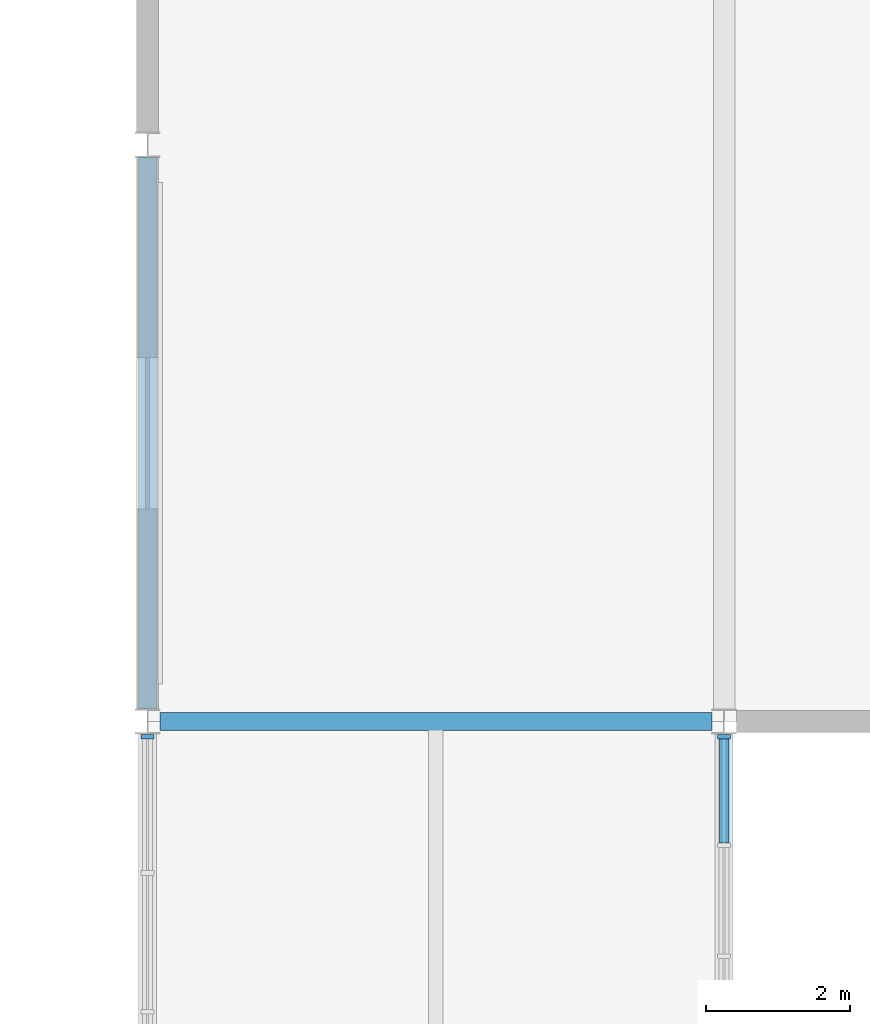
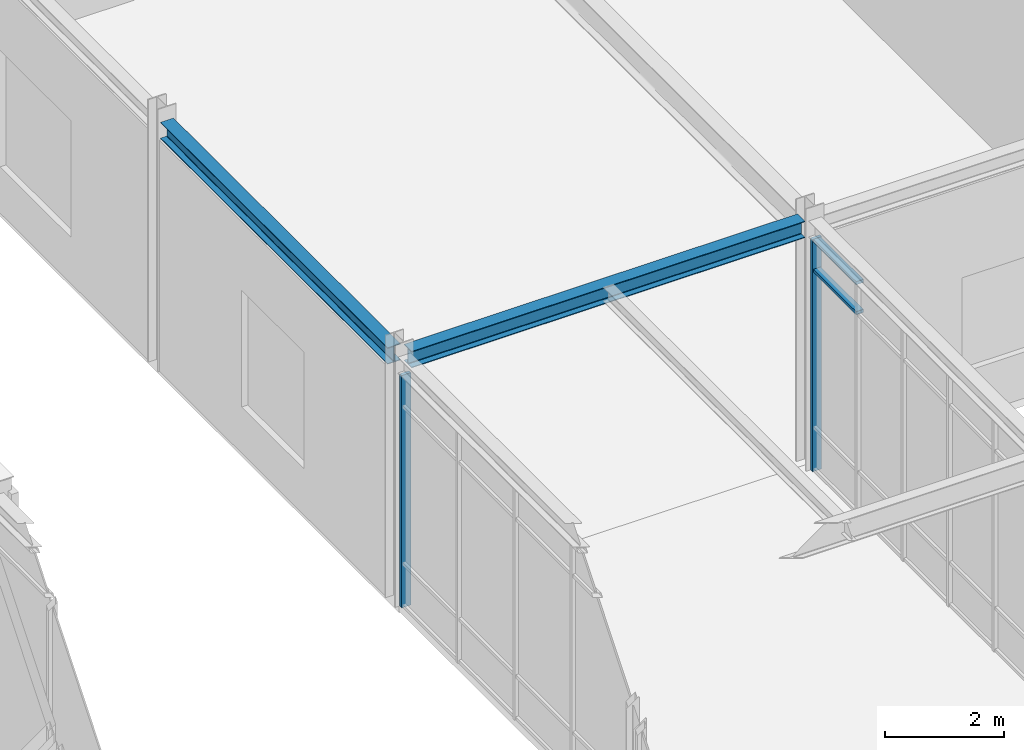
# One storey, part 34 of 108: 4 members, 2 beams, 2 elements without a shape of their own.
"""IFC4 building model written with IfcOpenShell, lengths in metres."""

from ifc_helpers import new_model, si_unit, direction, frame, origin, origin_2d, place, context, subcontext, project, spatial, rectangle, i_section, extrude, material, material_profile, profile_set, type_object, element, aggregate, save


model = new_model("IFC4")

# Units and contexts
model_context = context("Model", 3, precision=1e-05, world=origin(), true_north=direction((0.0, 1.0)))
body_context = subcontext(model_context, "Body", "Model", "MODEL_VIEW")
ifc_project = project(units=[si_unit("LENGTHUNIT", "METRE"), si_unit("AREAUNIT", "SQUARE_METRE"), si_unit("VOLUMEUNIT", "CUBIC_METRE"), si_unit("PLANEANGLEUNIT", "RADIAN"), si_unit("MASSUNIT", "GRAM", prefix="KILO")], contexts=[model_context])

# Site, building, storey
site_placement = place(None, origin())
site = spatial("IfcSite", under=ifc_project, at=site_placement, CompositionType="ELEMENT")
building_placement = place(site_placement, origin())
building = spatial("IfcBuilding", under=site, at=building_placement, Name="Zhaolan Boulevard Law Courts", CompositionType="ELEMENT")
storey_placement = place(building_placement, frame((0.0, 0.0, 10.800048828125)))
storey = spatial("IfcBuildingStorey", under=building, at=storey_placement, Name="L02", CompositionType="ELEMENT", Elevation=10.800048828125)

# Curtain wall, member
ifc_material_1 = material(Name="Thermally broken aluminium and low-E glazing", Category="aluminium")
curtain_wall_type_1 = type_object("IfcCurtainWallType", Name="CURTAIN WALL M23", PredefinedType="USERDEFINED", material=ifc_material_1)
curtain_wall_1_placement = place(storey_placement, origin())
curtain_wall_1 = element("IfcCurtainWall", 1, at=curtain_wall_1_placement, inside=storey, type_object=curtain_wall_type_1, Name="Curtain Wall CW-L02-095", ObjectType="CURTAIN WALL", PredefinedType="USERDEFINED")
ifc_material_2 = material(Name="Fluorocarbon-coated aluminium 6063-T6", Category="aluminium")
ifc_material_profile_1 = material_profile(ifc_material_2, rectangle(XDim=0.179931640625, YDim=0.06494140625, at=origin_2d()), Name="AL65x180")
ifc_profile_set_1 = profile_set([ifc_material_profile_1], Name="Fluorocarbon-coated aluminium 6063-T6")
member_type_1 = type_object("IfcMemberType", Name="CWMULLION 65X180", PredefinedType="MULLION", material=ifc_profile_set_1)
member_1_placement = place(storey_placement, frame((52.0, 61.79052734375, 0.0), z_axis=(0.0, 0.0, 1.0), x_axis=(1.0, 0.0, 0.0)))
member_1 = element("IfcMember", 2, at=member_1_placement, type_object=member_type_1, Name="CW-L02-095 mullion 1", PredefinedType="MULLION", context=body_context, shape_type="SweptSolid", body=[
    extrude(rectangle(XDim=0.179931640625, YDim=0.06494140625, at=origin_2d()), origin(), (0.0, 0.0, 1.0), 4.782958984375),
])
aggregate(curtain_wall_1, [member_1])

# Curtain wall, members
ifc_material_3 = material(Name="Thermally broken aluminium and low-E glazing", Category="aluminium")
curtain_wall_type_2 = type_object("IfcCurtainWallType", Name="CURTAIN WALL M3", PredefinedType="USERDEFINED", material=ifc_material_3)
curtain_wall_2_placement = place(storey_placement, origin())
curtain_wall_2 = element("IfcCurtainWall", 3, at=curtain_wall_2_placement, inside=storey, type_object=curtain_wall_type_2, Name="Curtain Wall CW-L02-099", ObjectType="CURTAIN WALL", PredefinedType="USERDEFINED")
member_2_placement = place(storey_placement, frame((60.0, 61.79052734375, 0.0), z_axis=(0.0, 0.0, 1.0), x_axis=(-1.0, 0.0, 0.0)))
member_2 = element("IfcMember", 4, at=member_2_placement, type_object=member_type_1, Name="CW-L02-099 mullion 6", PredefinedType="MULLION", context=body_context, shape_type="SweptSolid", body=[
    extrude(rectangle(XDim=0.179931640625, YDim=0.06494140625, at=origin_2d()), origin(), (0.0, 0.0, 1.0), 4.782958984375),
])
ifc_material_4 = material(Name="Fluorocarbon-coated aluminium 6063-T6", Category="aluminium")
ifc_material_profile_2 = material_profile(ifc_material_4, rectangle(XDim=0.139892578125, YDim=0.06494140625, at=origin_2d()), Name="AL65x140")
ifc_profile_set_2 = profile_set([ifc_material_profile_2], Name="Fluorocarbon-coated aluminium 6063-T6")
member_type_2 = type_object("IfcMemberType", Name="CWTRANSOM 65X140", PredefinedType="USERDEFINED", material=ifc_profile_set_2)
member_3_placement = place(storey_placement, frame((60.0, 60.31640625, 4.133056640625), z_axis=(0.0, 1.0, 0.0), x_axis=(-1.0, 0.0, 0.0)))
member_3 = element("IfcMember", 5, at=member_3_placement, type_object=member_type_2, Name="CW-L02-099 transom 5.3", ObjectType="TRANSOM", PredefinedType="USERDEFINED", context=body_context, shape_type="SweptSolid", body=[
    extrude(rectangle(XDim=0.139892578125, YDim=0.06494140625, at=origin_2d()), origin(), (0.0, 0.0, 1.0), 1.441650390625),
])
member_4_placement = place(storey_placement, frame((60.0, 60.31640625, 4.75048828125), z_axis=(0.0, 1.0, 0.0), x_axis=(-1.0, 0.0, 0.0)))
member_4 = element("IfcMember", 6, at=member_4_placement, type_object=member_type_2, Name="CW-L02-099 transom 5.4", ObjectType="TRANSOM", PredefinedType="USERDEFINED", context=body_context, shape_type="SweptSolid", body=[
    extrude(rectangle(XDim=0.139892578125, YDim=0.06494140625, at=origin_2d()), origin(), (0.0, 0.0, 1.0), 1.441650390625),
])
aggregate(curtain_wall_2, [member_2, member_3, member_4])

# Beams
ifc_material_5 = material(Name="Structural steel Q355B", Category="steel")
ifc_material_profile_3 = material_profile(ifc_material_5, i_section(OverallWidth=0.25, OverallDepth=0.340087890625, WebThickness=0.009033203125, FlangeThickness=0.013916015625, FilletRadius=0.01611328125, at=origin_2d()), Name="HM340x250")
ifc_profile_set_3 = profile_set([ifc_material_profile_3], Name="Structural steel Q355B")
beam_type_1 = type_object("IfcBeamType", Name="GIRDER HM340", PredefinedType="BEAM", material=ifc_profile_set_3)
beam_1_placement = place(storey_placement, frame((52.0, 62.1708984375, 4.947998046875), z_axis=(0.0, 1.0, 0.0), x_axis=(-1.0, 0.0, 0.0)))
element("IfcBeam", 7, at=beam_1_placement, inside=storey, type_object=beam_type_1, Name="Beam BY-L03-7-J-K", PredefinedType="BEAM", context=body_context, shape_type="SweptSolid", body=[
    extrude(i_section(OverallWidth=0.25, OverallDepth=0.340087890625, WebThickness=0.009033203125, FlangeThickness=0.013916015625, FilletRadius=0.01611328125, at=origin_2d()), origin(), (0.0, 0.0, 1.0), 7.658203125),
])
ifc_material_6 = material(Name="Structural steel Q355B", Category="steel")
ifc_material_profile_4 = material_profile(ifc_material_6, i_section(OverallWidth=0.25, OverallDepth=0.340087890625, WebThickness=0.009033203125, FlangeThickness=0.013916015625, FilletRadius=0.01611328125, at=origin_2d()), Name="HM340x250")
ifc_profile_set_4 = profile_set([ifc_material_profile_4], Name="Structural steel Q355B")
beam_type_2 = type_object("IfcBeamType", Name="SPANDREL HM340", PredefinedType="SPANDREL", material=ifc_profile_set_4)
beam_2_placement = place(storey_placement, frame((52.1708984375, 62.0, 4.947998046875), z_axis=(1.0, 0.0, 0.0), x_axis=(0.0, 1.0, 0.0)))
element("IfcBeam", 8, at=beam_2_placement, inside=storey, type_object=beam_type_2, Name="Beam BX-L03-7-8-J", PredefinedType="SPANDREL", context=body_context, shape_type="SweptSolid", body=[
    extrude(i_section(OverallWidth=0.25, OverallDepth=0.340087890625, WebThickness=0.009033203125, FlangeThickness=0.013916015625, FilletRadius=0.01611328125, at=origin_2d()), origin(), (0.0, 0.0, 1.0), 7.658203125),
])

save(model, "model.ifc")
